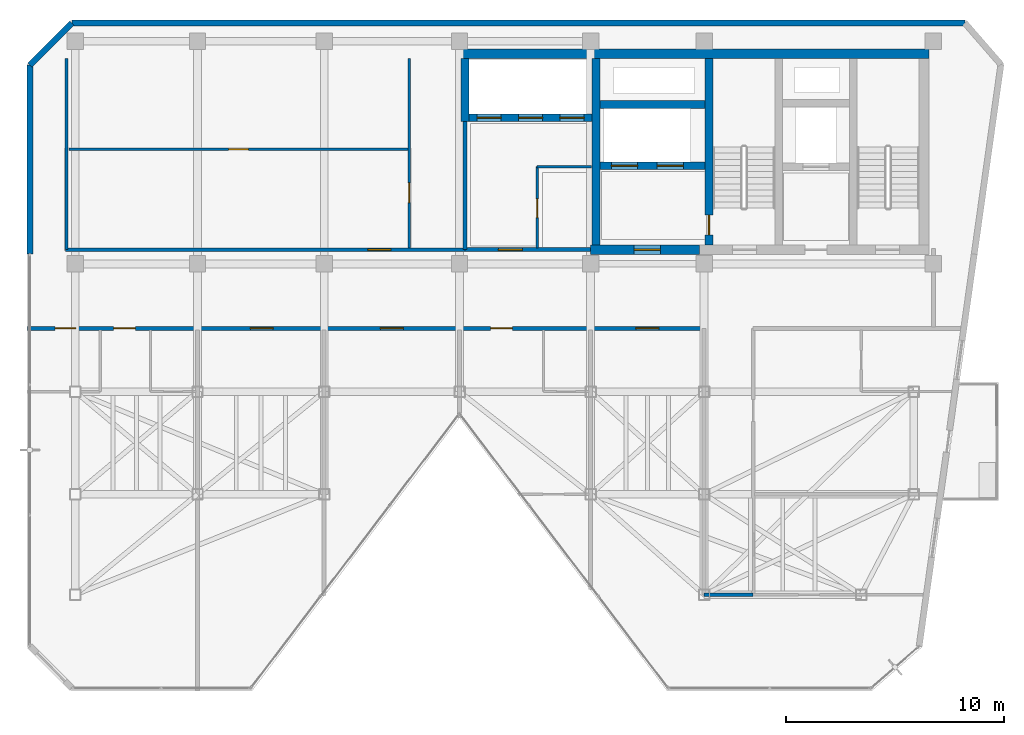
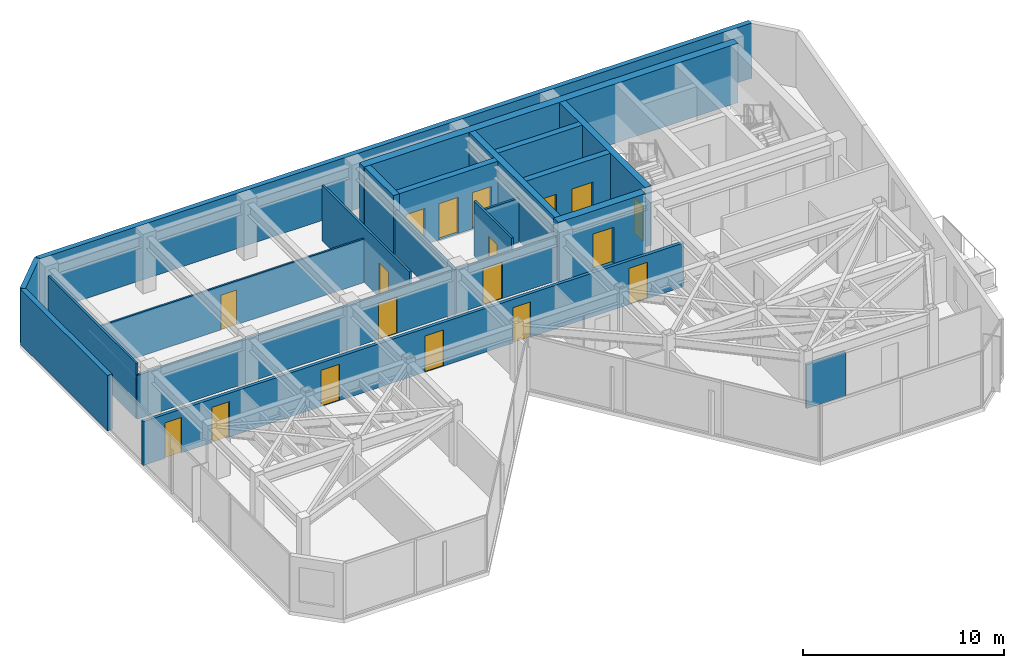
# One storey, part 16 of 19: 21 walls, 18 doors, 18 openings.
"""IFC4 building model written with IfcOpenShell, lengths in metres."""

from ifc_helpers import new_model, si_unit, direction, frame, frame_2d, origin, place, context, subcontext, project, spatial, rectangle, extrude, material, layer, layer_set, type_object, element, fill, save


model = new_model("IFC4")

# Units and contexts
model_context = context("Model", 3, precision=1e-05, world=origin(), true_north=direction((0.0, 1.0)))
body_context = subcontext(model_context, "Body", "Model", "MODEL_VIEW")
ifc_project = project(units=[si_unit("LENGTHUNIT", "METRE"), si_unit("AREAUNIT", "SQUARE_METRE"), si_unit("VOLUMEUNIT", "CUBIC_METRE"), si_unit("PLANEANGLEUNIT", "RADIAN"), si_unit("MASSUNIT", "GRAM", prefix="KILO")], contexts=[model_context])

# Site, building, storey
site_placement = place(None, origin())
site = spatial("IfcSite", under=ifc_project, at=site_placement, CompositionType="ELEMENT")
building_placement = place(site_placement, origin())
building = spatial("IfcBuilding", under=site, at=building_placement, Name="Kravanh Interchange Tower", CompositionType="ELEMENT")
storey_placement = place(building_placement, frame((0.0, 0.0, 259.800048828125)))
storey = spatial("IfcBuildingStorey", under=building, at=storey_placement, Name="L63", CompositionType="ELEMENT", Elevation=259.800048828125)

# Wall, opening, door
ifc_material_1 = material(Name="Double Acoustic Gypsum Board and Mineral Wool")
ifc_layer_1 = layer(ifc_material_1, 0.1201171875)
ifc_layer_set_1 = layer_set([ifc_layer_1], Name="Acoustic Office Drywall Partition 120mm")
wall_type_1 = type_object("IfcWallType", Name="Acoustic Office Drywall Partition 120mm", PredefinedType="PARTITIONING", material=ifc_layer_set_1)
wall_1_placement = place(storey_placement, frame((48.35009765625, 38.068115234375, 0.0), z_axis=(0.0, 0.0, 1.0), x_axis=(0.0, 1.0, 0.0)))
wall_1 = element("IfcWall", 1, at=wall_1_placement, inside=storey, type_object=wall_type_1, Name="L63 Interior Partition 2", PredefinedType="PARTITIONING", context=body_context, shape_type="SweptSolid", body=[
    extrude(rectangle(XDim=3.73193359375, YDim=0.1201171875, at=frame_2d((1.865966796875, 0.0))), origin(), (0.0, 0.0, 1.0), 3.349853515625),
])
opening_1_placement = place(wall_1_placement, frame((1.406982421875, 0.0, 0.0)))
opening_1 = element("IfcOpeningElement", 2, at=opening_1_placement, cuts=wall_1, Name="Opening D-85", PredefinedType="OPENING", context=body_context, shape_type="SweptSolid", body=[
    extrude(rectangle(XDim=0.85009765625, YDim=2.10009765625, at=frame_2d((0.425048828125, 1.050048828125))), frame((0.0, 0.070068359375, 0.0), z_axis=(0.0, -1.0, 0.0), x_axis=(1.0, 0.0, 0.0)), (0.0, 0.0, 1.0), 0.14013671875),
])
ifc_material_2 = material(Name="Engineered Teak Veneer Timber", Category="wood")
door_type_1 = type_object("IfcDoorType", Name="En-Suite Timber Door 850x2100", OperationType="NOTDEFINED", PredefinedType="DOOR", material=ifc_material_2)
door_1_placement = place(opening_1_placement, origin())
door_1 = element("IfcDoor", 3, at=door_1_placement, inside=storey, type_object=door_type_1, Name="L63 Core Electrical Closet Door", OperationType="SINGLE_SWING_RIGHT", OverallHeight=2.10009765625, OverallWidth=0.85009765625, PredefinedType="DOOR", context=body_context, shape_type="SweptSolid", body=[
    extrude(rectangle(XDim=0.85009765625, YDim=2.10009765625, at=frame_2d((0.425048828125, 1.050048828125))), frame((0.0, 0.02490234375, 0.0), z_axis=(0.0, -1.0, 0.0), x_axis=(1.0, 0.0, 0.0)), (0.0, 0.0, 1.0), 0.050048828125),
])
fill(opening_1, door_1)

# Walls
wall_2_placement = place(storey_placement, frame((48.35009765625, 41.800048828125, 0.0), z_axis=(0.0, 0.0, 1.0), x_axis=(1.0, 0.0, 0.0)))
element("IfcWall", 4, at=wall_2_placement, inside=storey, type_object=wall_type_1, Name="L63 Interior Partition 3", PredefinedType="PARTITIONING", context=body_context, shape_type="SweptSolid", body=[
    extrude(rectangle(XDim=2.5, YDim=0.1201171875, at=frame_2d((1.25, 0.0))), origin(), (0.0, 0.0, 1.0), 2.654052734375),
])
wall_3_placement = place(storey_placement, frame((26.800048828125, 38.0, 0.0), z_axis=(0.0, 0.0, 1.0), x_axis=(0.0, 1.0, 0.0)))
element("IfcWall", 5, at=wall_3_placement, inside=storey, type_object=wall_type_1, Name="L63 Interior Partition 6", PredefinedType="PARTITIONING", context=body_context, shape_type="SweptSolid", body=[
    extrude(rectangle(XDim=8.75, YDim=0.1201171875, at=frame_2d((4.375, 0.0))), origin(), (0.0, 0.0, 1.0), 3.349853515625),
])

# Wall, opening, door
wall_4_placement = place(storey_placement, frame((42.5, 38.068115234375, 0.0), z_axis=(0.0, 0.0, 1.0), x_axis=(0.0, 1.0, 0.0)))
wall_4 = element("IfcWall", 6, at=wall_4_placement, inside=storey, type_object=wall_type_1, Name="L63 Interior Partition 7", PredefinedType="PARTITIONING", context=body_context, shape_type="SweptSolid", body=[
    extrude(rectangle(XDim=8.681884765625, YDim=0.1201171875, at=frame_2d((4.3408203125, 0.0))), origin(), (0.0, 0.0, 1.0), 3.349853515625),
])
opening_2_placement = place(wall_4_placement, frame((2.09130859375, 0.0, 0.0)))
opening_2 = element("IfcOpeningElement", 7, at=opening_2_placement, cuts=wall_4, Name="Opening D-90", PredefinedType="OPENING", context=body_context, shape_type="SweptSolid", body=[
    extrude(rectangle(XDim=0.89990234375, YDim=2.10009765625, at=frame_2d((0.449951171875, 1.050048828125))), frame((0.0, 0.070068359375, 0.0), z_axis=(0.0, -1.0, 0.0), x_axis=(1.0, 0.0, 0.0)), (0.0, 0.0, 1.0), 0.14013671875),
])
ifc_material_3 = material(Name="Painted Solid-Core Timber", Category="wood")
door_type_2 = type_object("IfcDoorType", Name="Service Room Door 900x2100", OperationType="NOTDEFINED", PredefinedType="DOOR", material=ifc_material_3)
door_2_placement = place(opening_2_placement, origin())
door_2 = element("IfcDoor", 8, at=door_2_placement, inside=storey, type_object=door_type_2, Name="L63 Housekeeping Inner Door", OperationType="SINGLE_SWING_LEFT", OverallHeight=2.10009765625, OverallWidth=0.89990234375, PredefinedType="DOOR", context=body_context, shape_type="SweptSolid", body=[
    extrude(rectangle(XDim=0.89990234375, YDim=2.10009765625, at=frame_2d((0.449951171875, 1.050048828125))), frame((0.0, 0.02490234375, 0.0), z_axis=(0.0, -1.0, 0.0), x_axis=(1.0, 0.0, 0.0)), (0.0, 0.0, 1.0), 0.050048828125),
])
fill(opening_2, door_2)

ifc_material_4 = material(Name="Concrete C60/75", Category="concrete")
ifc_layer_2 = layer(ifc_material_4, 0.35009765625)
ifc_layer_set_2 = layer_set([ifc_layer_2], Name="Core Shear Wall Concrete C60/75 350mm")
wall_type_2 = type_object("IfcWallType", Name="Core Shear Wall Concrete C60/75 350mm", PredefinedType="SHEAR", material=ifc_layer_set_2)
wall_5_placement = place(storey_placement, frame((56.22509765625, 38.22509765625, 0.0), z_axis=(0.0, 0.0, 1.0), x_axis=(0.0, 1.0, 0.0)))
wall_5 = element("IfcWall", 9, at=wall_5_placement, inside=storey, type_object=wall_type_2, Name="L63 Stair ST2 West Shear Wall", PredefinedType="SHEAR", context=body_context, shape_type="SweptSolid", body=[
    extrude(rectangle(XDim=8.52490234375, YDim=0.35009765625, at=frame_2d((4.262451171875, 0.0))), origin(), (0.0, 0.0, 1.0), 3.599853515625),
])
opening_3_placement = place(wall_5_placement, frame((0.455078125, 0.0, 0.0)))
opening_3 = element("IfcOpeningElement", 10, at=opening_3_placement, cuts=wall_5, Name="Opening D-STAIR-90", PredefinedType="OPENING", context=body_context, shape_type="SweptSolid", body=[
    extrude(rectangle(XDim=0.89990234375, YDim=2.14990234375, at=frame_2d((0.449951171875, 1.074951171875))), frame((0.0, 0.18505859375, 0.0), z_axis=(0.0, -1.0, 0.0), x_axis=(1.0, 0.0, 0.0)), (0.0, 0.0, 1.0), 0.3701171875),
])
ifc_material_5 = material(Name="Structural Steel S355", Category="steel")
door_type_3 = type_object("IfcDoorType", Name="Fire-Rated Stair Lobby Door 900x2150", OperationType="NOTDEFINED", PredefinedType="DOOR", material=ifc_material_5)
door_3_placement = place(opening_3_placement, origin())
door_3 = element("IfcDoor", 11, at=door_3_placement, inside=storey, type_object=door_type_3, Name="L63 Firefighting Lobby to Stair ST2 Door", OperationType="SINGLE_SWING_LEFT", OverallHeight=2.14990234375, OverallWidth=0.89990234375, PredefinedType="DOOR", context=body_context, shape_type="SweptSolid", body=[
    extrude(rectangle(XDim=0.89990234375, YDim=2.14990234375, at=frame_2d((0.449951171875, 1.074951171875))), frame((0.0, 0.02490234375, 0.0), z_axis=(0.0, -1.0, 0.0), x_axis=(1.0, 0.0, 0.0)), (0.0, 0.0, 1.0), 0.050048828125),
])
fill(opening_3, door_3)

# Wall, openings, doors
wall_6_placement = place(storey_placement, frame((51.22509765625, 41.85009765625, 0.0), z_axis=(0.0, 0.0, 1.0), x_axis=(1.0, 0.0, 0.0)))
wall_6 = element("IfcWall", 12, at=wall_6_placement, inside=storey, type_object=wall_type_2, Name="L63 Fire Lift Shaft South Wall", PredefinedType="SHEAR", context=body_context, shape_type="SweptSolid", body=[
    extrude(rectangle(XDim=4.824951171875, YDim=0.35009765625, at=frame_2d((2.41259765625, 0.0))), origin(), (0.0, 0.0, 1.0), 3.599853515625),
])
opening_4_placement = place(wall_6_placement, frame((0.52490234375, 0.0, 0.0)))
opening_4 = element("IfcOpeningElement", 13, at=opening_4_placement, cuts=wall_6, Name="Opening LD02", PredefinedType="OPENING", context=body_context, shape_type="SweptSolid", body=[
    extrude(rectangle(XDim=1.199951171875, YDim=2.199951171875, at=frame_2d((0.60009765625, 1.10009765625))), frame((0.0, 0.18505859375, 0.0), z_axis=(0.0, -1.0, 0.0), x_axis=(1.0, 0.0, 0.0)), (0.0, 0.0, 1.0), 0.3701171875),
])
opening_5_placement = place(wall_6_placement, frame((2.625, 0.0, 0.0)))
opening_5 = element("IfcOpeningElement", 14, at=opening_5_placement, cuts=wall_6, Name="Opening LD02", PredefinedType="OPENING", context=body_context, shape_type="SweptSolid", body=[
    extrude(rectangle(XDim=1.199951171875, YDim=2.199951171875, at=frame_2d((0.60009765625, 1.10009765625))), frame((0.0, 0.18505859375, 0.0), z_axis=(0.0, -1.0, 0.0), x_axis=(1.0, 0.0, 0.0)), (0.0, 0.0, 1.0), 0.3701171875),
])
ifc_material_6 = material(Name="Stainless Steel 316", Category="steel")
door_type_4 = type_object("IfcDoorType", Name="Fire and Service Lift Sliding Landing Door 1200x2200", OperationType="DOUBLE_DOOR_SLIDING", PredefinedType="DOOR", material=ifc_material_6)
door_4_placement = place(opening_4_placement, origin())
door_4 = element("IfcDoor", 15, at=door_4_placement, inside=storey, type_object=door_type_4, Name="L63 Lift FSAE-01 Landing Door", OperationType="DOUBLE_DOOR_SLIDING", OverallHeight=2.199951171875, OverallWidth=1.199951171875, PredefinedType="DOOR", context=body_context, shape_type="SweptSolid", body=[
    extrude(rectangle(XDim=1.199951171875, YDim=2.199951171875, at=frame_2d((0.60009765625, 1.10009765625))), frame((0.0, 0.02490234375, 0.0), z_axis=(0.0, -1.0, 0.0), x_axis=(1.0, 0.0, 0.0)), (0.0, 0.0, 1.0), 0.050048828125),
])
fill(opening_4, door_4)
door_5_placement = place(opening_5_placement, origin())
door_5 = element("IfcDoor", 16, at=door_5_placement, inside=storey, type_object=door_type_4, Name="L63 Lift FSAE-02 Landing Door", OperationType="DOUBLE_DOOR_SLIDING", OverallHeight=2.199951171875, OverallWidth=1.199951171875, PredefinedType="DOOR", context=body_context, shape_type="SweptSolid", body=[
    extrude(rectangle(XDim=1.199951171875, YDim=2.199951171875, at=frame_2d((0.60009765625, 1.10009765625))), frame((0.0, 0.02490234375, 0.0), z_axis=(0.0, -1.0, 0.0), x_axis=(1.0, 0.0, 0.0)), (0.0, 0.0, 1.0), 0.050048828125),
])
fill(opening_5, door_5)

# Walls
wall_7_placement = place(storey_placement, frame((51.22509765625, 44.64990234375, 0.0), z_axis=(0.0, 0.0, 1.0), x_axis=(1.0, 0.0, 0.0)))
element("IfcWall", 17, at=wall_7_placement, inside=storey, type_object=wall_type_2, Name="L63 Fire Lift Shaft North Wall", PredefinedType="SHEAR", context=body_context, shape_type="SweptSolid", body=[
    extrude(rectangle(XDim=4.824951171875, YDim=0.35009765625, at=frame_2d((2.41259765625, 0.0))), origin(), (0.0, 0.0, 1.0), 3.599853515625),
])
wall_8_placement = place(storey_placement, frame((51.050048828125, 38.22509765625, 0.0), z_axis=(0.0, 0.0, 1.0), x_axis=(0.0, 1.0, 0.0)))
element("IfcWall", 18, at=wall_8_placement, inside=storey, type_object=wall_type_2, Name="L63 Firefighting Lobby West Wall", PredefinedType="SHEAR", context=body_context, shape_type="SweptSolid", body=[
    extrude(rectangle(XDim=8.52490234375, YDim=0.35009765625, at=frame_2d((4.262451171875, 0.0))), origin(), (0.0, 0.0, 1.0), 3.599853515625),
])

# Wall, openings, doors
wall_9_placement = place(storey_placement, frame((45.22509765625, 44.050048828125, 0.0), z_axis=(0.0, 0.0, 1.0), x_axis=(1.0, 0.0, 0.0)))
wall_9 = element("IfcWall", 19, at=wall_9_placement, inside=storey, type_object=wall_type_2, Name="L63 High-Rise Lift Shaft South Wall", PredefinedType="SHEAR", context=body_context, shape_type="SweptSolid", body=[
    extrude(rectangle(XDim=5.64990234375, YDim=0.35009765625, at=frame_2d((2.824951171875, 0.0))), origin(), (0.0, 0.0, 1.0), 3.599853515625),
])
opening_6_placement = place(wall_9_placement, frame((0.375, 0.0, 0.0)))
opening_6 = element("IfcOpeningElement", 20, at=opening_6_placement, cuts=wall_9, Name="Opening LD01", PredefinedType="OPENING", context=body_context, shape_type="SweptSolid", body=[
    extrude(rectangle(XDim=1.10009765625, YDim=2.199951171875, at=frame_2d((0.550048828125, 1.10009765625))), frame((0.0, 0.18505859375, 0.0), z_axis=(0.0, -1.0, 0.0), x_axis=(1.0, 0.0, 0.0)), (0.0, 0.0, 1.0), 0.3701171875),
])
opening_7_placement = place(wall_9_placement, frame((2.27490234375, 0.0, 0.0)))
opening_7 = element("IfcOpeningElement", 21, at=opening_7_placement, cuts=wall_9, Name="Opening LD01", PredefinedType="OPENING", context=body_context, shape_type="SweptSolid", body=[
    extrude(rectangle(XDim=1.10009765625, YDim=2.199951171875, at=frame_2d((0.550048828125, 1.10009765625))), frame((0.0, 0.18505859375, 0.0), z_axis=(0.0, -1.0, 0.0), x_axis=(1.0, 0.0, 0.0)), (0.0, 0.0, 1.0), 0.3701171875),
])
opening_8_placement = place(wall_9_placement, frame((4.175048828125, 0.0, 0.0)))
opening_8 = element("IfcOpeningElement", 22, at=opening_8_placement, cuts=wall_9, Name="Opening LD01", PredefinedType="OPENING", context=body_context, shape_type="SweptSolid", body=[
    extrude(rectangle(XDim=1.10009765625, YDim=2.199951171875, at=frame_2d((0.550048828125, 1.10009765625))), frame((0.0, 0.18505859375, 0.0), z_axis=(0.0, -1.0, 0.0), x_axis=(1.0, 0.0, 0.0)), (0.0, 0.0, 1.0), 0.3701171875),
])
ifc_material_7 = material(Name="Stainless Steel 304", Category="steel")
door_type_5 = type_object("IfcDoorType", Name="Passenger Lift Sliding Landing Door 1100x2200", OperationType="DOUBLE_DOOR_SLIDING", PredefinedType="DOOR", material=ifc_material_7)
door_6_placement = place(opening_6_placement, origin())
door_6 = element("IfcDoor", 23, at=door_6_placement, inside=storey, type_object=door_type_5, Name="L63 Lift LP-H1 Landing Door", OperationType="DOUBLE_DOOR_SLIDING", OverallHeight=2.199951171875, OverallWidth=1.10009765625, PredefinedType="DOOR", context=body_context, shape_type="SweptSolid", body=[
    extrude(rectangle(XDim=1.10009765625, YDim=2.199951171875, at=frame_2d((0.550048828125, 1.10009765625))), frame((0.0, 0.02490234375, 0.0), z_axis=(0.0, -1.0, 0.0), x_axis=(1.0, 0.0, 0.0)), (0.0, 0.0, 1.0), 0.050048828125),
])
fill(opening_6, door_6)
door_7_placement = place(opening_7_placement, origin())
door_7 = element("IfcDoor", 24, at=door_7_placement, inside=storey, type_object=door_type_5, Name="L63 Lift LP-H2 Landing Door", OperationType="DOUBLE_DOOR_SLIDING", OverallHeight=2.199951171875, OverallWidth=1.10009765625, PredefinedType="DOOR", context=body_context, shape_type="SweptSolid", body=[
    extrude(rectangle(XDim=1.10009765625, YDim=2.199951171875, at=frame_2d((0.550048828125, 1.10009765625))), frame((0.0, 0.02490234375, 0.0), z_axis=(0.0, -1.0, 0.0), x_axis=(1.0, 0.0, 0.0)), (0.0, 0.0, 1.0), 0.050048828125),
])
fill(opening_7, door_7)
door_8_placement = place(opening_8_placement, origin())
door_8 = element("IfcDoor", 25, at=door_8_placement, inside=storey, type_object=door_type_5, Name="L63 Lift LP-H3 Landing Door", OperationType="DOUBLE_DOOR_SLIDING", OverallHeight=2.199951171875, OverallWidth=1.10009765625, PredefinedType="DOOR", context=body_context, shape_type="SweptSolid", body=[
    extrude(rectangle(XDim=1.10009765625, YDim=2.199951171875, at=frame_2d((0.550048828125, 1.10009765625))), frame((0.0, 0.02490234375, 0.0), z_axis=(0.0, -1.0, 0.0), x_axis=(1.0, 0.0, 0.0)), (0.0, 0.0, 1.0), 0.050048828125),
])
fill(opening_8, door_8)

# Walls
wall_10_placement = place(storey_placement, frame((45.050048828125, 43.875, 0.0), z_axis=(0.0, 0.0, 1.0), x_axis=(0.0, 1.0, 0.0)))
element("IfcWall", 26, at=wall_10_placement, inside=storey, type_object=wall_type_2, Name="L63 High-Rise Lift Shaft West Wall", PredefinedType="SHEAR", context=body_context, shape_type="SweptSolid", body=[
    extrude(rectangle(XDim=2.875, YDim=0.35009765625, at=frame_2d((1.4375, 0.0))), origin(), (0.0, 0.0, 1.0), 3.599853515625),
])
ifc_material_8 = material(Name="Concrete C60/75", Category="concrete")
ifc_layer_3 = layer(ifc_material_8, 0.449951171875)
ifc_layer_set_3 = layer_set([ifc_layer_3], Name="Core Shear Wall Concrete C60/75 450mm")
wall_type_3 = type_object("IfcWallType", Name="Core Shear Wall Concrete C60/75 450mm", PredefinedType="SHEAR", material=ifc_layer_set_3)
wall_11_placement = place(storey_placement, frame((44.85009765625, 46.97509765625, 0.0), z_axis=(0.0, 0.0, 1.0), x_axis=(1.0, 0.0, 0.0)))
element("IfcWall", 27, at=wall_11_placement, inside=storey, type_object=wall_type_3, Name="L63 North Core Shear Wall", PredefinedType="SHEAR", context=body_context, shape_type="SweptSolid", body=[
    extrude(rectangle(XDim=21.449951171875, YDim=0.449951171875, at=frame_2d((10.72509765625, 0.0))), origin(), (0.0, 0.0, 1.0), 3.599853515625),
])

# Wall, opening, door
wall_12_placement = place(storey_placement, frame((50.800048828125, 38.0, 0.0), z_axis=(0.0, 0.0, 1.0), x_axis=(1.0, 0.0, 0.0)))
wall_12 = element("IfcWall", 28, at=wall_12_placement, inside=storey, type_object=wall_type_3, Name="L63 Firefighting Lobby South Shear Wall", PredefinedType="SHEAR", context=body_context, shape_type="SweptSolid", body=[
    extrude(rectangle(XDim=5.0, YDim=0.449951171875, at=frame_2d((2.5, 0.0))), origin(), (0.0, 0.0, 1.0), 3.599853515625),
])
opening_9_placement = place(wall_12_placement, frame((2.0, 0.0, 0.0)))
opening_9 = element("IfcOpeningElement", 29, at=opening_9_placement, cuts=wall_12, Name="Opening D-FSAE-120", PredefinedType="OPENING", context=body_context, shape_type="SweptSolid", body=[
    extrude(rectangle(XDim=1.199951171875, YDim=2.199951171875, at=frame_2d((0.60009765625, 1.10009765625))), frame((0.0, 0.23486328125, 0.0), z_axis=(0.0, -1.0, 0.0), x_axis=(1.0, 0.0, 0.0)), (0.0, 0.0, 1.0), 0.469970703125),
])
ifc_material_9 = material(Name="Structural Steel S355", Category="steel")
door_type_6 = type_object("IfcDoorType", Name="Fire-Rated Refuge and FSAE Door 1200x2200", OperationType="NOTDEFINED", PredefinedType="DOOR", material=ifc_material_9)
door_9_placement = place(opening_9_placement, origin())
door_9 = element("IfcDoor", 30, at=door_9_placement, inside=storey, type_object=door_type_6, Name="L63 Firefighting Lobby Corridor Door", OperationType="SINGLE_SWING_RIGHT", OverallHeight=2.199951171875, OverallWidth=1.199951171875, PredefinedType="DOOR", context=body_context, shape_type="SweptSolid", body=[
    extrude(rectangle(XDim=1.199951171875, YDim=2.199951171875, at=frame_2d((0.60009765625, 1.10009765625))), frame((0.0, 0.02490234375, 0.0), z_axis=(0.0, -1.0, 0.0), x_axis=(1.0, 0.0, 0.0)), (0.0, 0.0, 1.0), 0.050048828125),
])
fill(opening_9, door_9)

ifc_material_10 = material(Name="Moisture-Resistant Gypsum Board and Mineral Wool")
ifc_layer_4 = layer(ifc_material_10, 0.10009765625)
ifc_layer_set_4 = layer_set([ifc_layer_4], Name="En-Suite Moisture-Resistant Partition 100mm")
wall_type_4 = type_object("IfcWallType", Name="En-Suite Moisture-Resistant Partition 100mm", PredefinedType="PARTITIONING", material=ifc_layer_set_4)
wall_13_placement = place(storey_placement, frame((26.91796875, 42.60009765625, 0.0), z_axis=(0.0, 0.0, 1.0), x_axis=(1.0, 0.0, 0.0)))
wall_13 = element("IfcWall", 31, at=wall_13_placement, inside=storey, type_object=wall_type_4, Name="L63 Interior Partition 8", PredefinedType="PARTITIONING", context=body_context, shape_type="SweptSolid", body=[
    extrude(rectangle(XDim=15.513916015625, YDim=0.10009765625, at=frame_2d((7.7568359375, 0.0))), origin(), (0.0, 0.0, 1.0), 2.654052734375),
])
opening_10_placement = place(wall_13_placement, frame((7.306884765625, 0.0, 0.0)))
opening_10 = element("IfcOpeningElement", 32, at=opening_10_placement, cuts=wall_13, Name="Opening D-90", PredefinedType="OPENING", context=body_context, shape_type="SweptSolid", body=[
    extrude(rectangle(XDim=0.89990234375, YDim=2.10009765625, at=frame_2d((0.449951171875, 1.050048828125))), frame((0.0, 0.06005859375, 0.0), z_axis=(0.0, -1.0, 0.0), x_axis=(1.0, 0.0, 0.0)), (0.0, 0.0, 1.0), 0.1201171875),
])
door_10_placement = place(opening_10_placement, origin())
door_10 = element("IfcDoor", 33, at=door_10_placement, inside=storey, type_object=door_type_2, Name="L63 Quiet Reading Alcove Inner Door", OperationType="SINGLE_SWING_RIGHT", OverallHeight=2.10009765625, OverallWidth=0.89990234375, PredefinedType="DOOR", context=body_context, shape_type="SweptSolid", body=[
    extrude(rectangle(XDim=0.89990234375, YDim=2.10009765625, at=frame_2d((0.449951171875, 1.050048828125))), frame((0.0, 0.02490234375, 0.0), z_axis=(0.0, -1.0, 0.0), x_axis=(1.0, 0.0, 0.0)), (0.0, 0.0, 1.0), 0.050048828125),
])
fill(opening_10, door_10)

# Walls
ifc_material_11 = material(Name="Insulated Precast Concrete C40/50 with Bronze Cladding", Category="concrete")
ifc_layer_5 = layer(ifc_material_11, 0.280029296875)
ifc_layer_set_5 = layer_set([ifc_layer_5], Name="Exterior Insulated Concrete C40/50 Bronze Spandrel Wall 280mm")
wall_type_5 = type_object("IfcWallType", Name="Exterior Insulated Concrete C40/50 Bronze Spandrel Wall 280mm", PredefinedType="STANDARD", material=ifc_layer_set_5)
wall_14_placement = place(storey_placement, frame((25.1201171875, 37.800048828125, 0.0), z_axis=(0.0, 0.0, 1.0), x_axis=(0.0, 1.0, 0.0)))
element("IfcWall", 34, at=wall_14_placement, inside=storey, type_object=wall_type_5, Name="L63 Exterior Wall 1", PredefinedType="STANDARD", context=body_context, shape_type="SweptSolid", body=[
    extrude(rectangle(XDim=8.650146484375, YDim=0.280029296875, at=frame_2d((4.3251953125, 0.0))), origin(), (0.0, 0.0, 1.0), 3.349853515625),
])
wall_15_placement = place(storey_placement, frame((25.1201171875, 46.4501953125, 0.0), z_axis=(0.0, 0.0, 1.0), x_axis=(0.707106781187, 0.707106781187, 0.0)))
element("IfcWall", 35, at=wall_15_placement, inside=storey, type_object=wall_type_5, Name="L63 Exterior Wall 2", PredefinedType="STANDARD", context=body_context, shape_type="SweptSolid", body=[
    extrude(rectangle(XDim=2.72900390625, YDim=0.280029296875, at=frame_2d((1.364501953125, 0.0))), origin(), (0.0, 0.0, 1.0), 3.349853515625),
])
wall_16_placement = place(storey_placement, frame((27.0498046875, 48.3798828125, 0.0), z_axis=(0.0, 0.0, 1.0), x_axis=(1.0, 0.0, 0.0)))
element("IfcWall", 36, at=wall_16_placement, inside=storey, type_object=wall_type_5, Name="L63 Exterior Wall 3", PredefinedType="STANDARD", context=body_context, shape_type="SweptSolid", body=[
    extrude(rectangle(XDim=40.8955078125, YDim=0.280029296875, at=frame_2d((20.44775390625, 0.0))), origin(), (0.0, 0.0, 1.0), 3.349853515625),
])

# Wall, opening, door
ifc_material_12 = material(Name="Autoclaved Aerated Concrete C30/37 Blockwork", Category="masonry")
ifc_layer_6 = layer(ifc_material_12, 0.179931640625)
ifc_layer_set_6 = layer_set([ifc_layer_6], Name="Fire-Rated Lobby and Corridor Wall Concrete C30/37 180mm")
wall_type_6 = type_object("IfcWallType", Name="Fire-Rated Lobby and Corridor Wall Concrete C30/37 180mm", PredefinedType="STANDARD", material=ifc_layer_set_6)
wall_17_placement = place(storey_placement, frame((45.050048828125, 38.0, 0.0), z_axis=(0.0, 0.0, 1.0), x_axis=(1.0, 0.0, 0.0)))
wall_17 = element("IfcWall", 37, at=wall_17_placement, inside=storey, type_object=wall_type_6, Name="L63 High-Rise Lift Lobby Wall 1", PredefinedType="STANDARD", context=body_context, shape_type="SweptSolid", body=[
    extrude(rectangle(XDim=5.75, YDim=0.179931640625, at=frame_2d((2.875, 0.0))), origin(), (0.0, 0.0, 1.0), 2.654052734375),
])
opening_11_placement = place(wall_17_placement, frame((1.52490234375, 0.0, 0.0)))
opening_11 = element("IfcOpeningElement", 38, at=opening_11_placement, cuts=wall_17, Name="Opening D-SHAFT-110", PredefinedType="OPENING", context=body_context, shape_type="SweptSolid", body=[
    extrude(rectangle(XDim=1.10009765625, YDim=2.199951171875, at=frame_2d((0.550048828125, 1.10009765625))), frame((0.0, 0.10009765625, 0.0), z_axis=(0.0, -1.0, 0.0), x_axis=(1.0, 0.0, 0.0)), (0.0, 0.0, 1.0), 0.199951171875),
])
ifc_material_13 = material(Name="Fire-Rated Composite Timber Leaf", Category="wood")
door_type_7 = type_object("IfcDoorType", Name="Fire-Rated Core Support Door 1100x2200", OperationType="NOTDEFINED", PredefinedType="DOOR", material=ifc_material_13)
door_11_placement = place(opening_11_placement, origin())
door_11 = element("IfcDoor", 39, at=door_11_placement, inside=storey, type_object=door_type_7, Name="L63 High-Rise Lift Lobby Door", OperationType="SINGLE_SWING_LEFT", OverallHeight=2.199951171875, OverallWidth=1.10009765625, PredefinedType="DOOR", context=body_context, shape_type="SweptSolid", body=[
    extrude(rectangle(XDim=1.10009765625, YDim=2.199951171875, at=frame_2d((0.550048828125, 1.10009765625))), frame((0.0, 0.02490234375, 0.0), z_axis=(0.0, -1.0, 0.0), x_axis=(1.0, 0.0, 0.0)), (0.0, 0.0, 1.0), 0.050048828125),
])
fill(opening_11, door_11)

# Wall
wall_18_placement = place(storey_placement, frame((45.050048828125, 38.0, 0.0), z_axis=(0.0, 0.0, 1.0), x_axis=(0.0, 1.0, 0.0)))
element("IfcWall", 40, at=wall_18_placement, inside=storey, type_object=wall_type_6, Name="L63 Interior Partition 4", PredefinedType="STANDARD", context=body_context, shape_type="SweptSolid", body=[
    extrude(rectangle(XDim=5.875, YDim=0.179931640625, at=frame_2d((2.9375, 0.0))), origin(), (0.0, 0.0, 1.0), 2.654052734375),
])

# Wall, openings, doors
wall_19_placement = place(storey_placement, frame((25.014892578125, 34.39990234375, 0.0), z_axis=(0.0, 0.0, 1.0), x_axis=(1.0, 0.0, 0.0)))
wall_19 = element("IfcWall", 41, at=wall_19_placement, inside=storey, type_object=wall_type_6, Name="L63 Interior Partition 9", PredefinedType="STANDARD", context=body_context, shape_type="SweptSolid", body=[
    extrude(rectangle(XDim=30.985107421875, YDim=0.179931640625, at=frame_2d((15.49267578125, 0.0))), origin(), (0.0, 0.0, 1.0), 2.654052734375),
])
opening_12_placement = place(wall_19_placement, frame((1.25927734375, 0.0, 0.0)))
opening_12 = element("IfcOpeningElement", 42, at=opening_12_placement, cuts=wall_19, Name="Opening D-95", PredefinedType="OPENING", context=body_context, shape_type="SweptSolid", body=[
    extrude(rectangle(XDim=0.949951171875, YDim=2.14990234375, at=frame_2d((0.47509765625, 1.074951171875))), frame((0.0, 0.10009765625, 0.0), z_axis=(0.0, -1.0, 0.0), x_axis=(1.0, 0.0, 0.0)), (0.0, 0.0, 1.0), 0.199951171875),
])
opening_13_placement = place(wall_19_placement, frame((3.938720703125, 0.0, 0.0)))
opening_13 = element("IfcOpeningElement", 43, at=opening_13_placement, cuts=wall_19, Name="Opening D-HOTEL-100", PredefinedType="OPENING", context=body_context, shape_type="SweptSolid", body=[
    extrude(rectangle(XDim=1.0, YDim=2.14990234375, at=frame_2d((0.5, 1.074951171875))), frame((0.0, 0.10009765625, 0.0), z_axis=(0.0, -1.0, 0.0), x_axis=(1.0, 0.0, 0.0)), (0.0, 0.0, 1.0), 0.199951171875),
])
opening_14_placement = place(wall_19_placement, frame((10.20068359375, 0.0, 0.0)))
opening_14 = element("IfcOpeningElement", 44, at=opening_14_placement, cuts=wall_19, Name="Opening D-105", PredefinedType="OPENING", context=body_context, shape_type="SweptSolid", body=[
    extrude(rectangle(XDim=1.050048828125, YDim=2.199951171875, at=frame_2d((0.52490234375, 1.10009765625))), frame((0.0, 0.10009765625, 0.0), z_axis=(0.0, -1.0, 0.0), x_axis=(1.0, 0.0, 0.0)), (0.0, 0.0, 1.0), 0.199951171875),
])
opening_15_placement = place(wall_19_placement, frame((16.159912109375, 0.0, 0.0)))
opening_15 = element("IfcOpeningElement", 45, at=opening_15_placement, cuts=wall_19, Name="Opening D-105", PredefinedType="OPENING", context=body_context, shape_type="SweptSolid", body=[
    extrude(rectangle(XDim=1.050048828125, YDim=2.199951171875, at=frame_2d((0.52490234375, 1.10009765625))), frame((0.0, 0.10009765625, 0.0), z_axis=(0.0, -1.0, 0.0), x_axis=(1.0, 0.0, 0.0)), (0.0, 0.0, 1.0), 0.199951171875),
])
opening_16_placement = place(wall_19_placement, frame((21.2099609375, 0.0, 0.0)))
opening_16 = element("IfcOpeningElement", 46, at=opening_16_placement, cuts=wall_19, Name="Opening D-HOTEL-100", PredefinedType="OPENING", context=body_context, shape_type="SweptSolid", body=[
    extrude(rectangle(XDim=1.0, YDim=2.14990234375, at=frame_2d((0.5, 1.074951171875))), frame((0.0, 0.10009765625, 0.0), z_axis=(0.0, -1.0, 0.0), x_axis=(1.0, 0.0, 0.0)), (0.0, 0.0, 1.0), 0.199951171875),
])
opening_17_placement = place(wall_19_placement, frame((27.860107421875, 0.0, 0.0)))
opening_17 = element("IfcOpeningElement", 47, at=opening_17_placement, cuts=wall_19, Name="Opening D-105", PredefinedType="OPENING", context=body_context, shape_type="SweptSolid", body=[
    extrude(rectangle(XDim=1.050048828125, YDim=2.199951171875, at=frame_2d((0.52490234375, 1.10009765625))), frame((0.0, 0.10009765625, 0.0), z_axis=(0.0, -1.0, 0.0), x_axis=(1.0, 0.0, 0.0)), (0.0, 0.0, 1.0), 0.199951171875),
])
ifc_material_14 = material(Name="Laminate Solid-Core Timber", Category="wood")
door_type_8 = type_object("IfcDoorType", Name="Accessible Restroom Door 950x2150", OperationType="NOTDEFINED", PredefinedType="DOOR", material=ifc_material_14)
door_12_placement = place(opening_12_placement, origin())
door_12 = element("IfcDoor", 48, at=door_12_placement, inside=storey, type_object=door_type_8, Name="L63 Accessible WC Door", OperationType="SINGLE_SWING_RIGHT", OverallHeight=2.14990234375, OverallWidth=0.949951171875, PredefinedType="DOOR", context=body_context, shape_type="SweptSolid", body=[
    extrude(rectangle(XDim=0.949951171875, YDim=2.14990234375, at=frame_2d((0.47509765625, 1.074951171875))), frame((0.0, 0.02490234375, 0.0), z_axis=(0.0, -1.0, 0.0), x_axis=(1.0, 0.0, 0.0)), (0.0, 0.0, 1.0), 0.050048828125),
])
fill(opening_12, door_12)
ifc_material_15 = material(Name="Fire-Rated Solid Timber Leaf", Category="wood")
door_type_9 = type_object("IfcDoorType", Name="Fire-Rated Suite Entrance Door 1000x2150", OperationType="NOTDEFINED", PredefinedType="DOOR", material=ifc_material_15)
door_13_placement = place(opening_13_placement, origin())
door_13 = element("IfcDoor", 49, at=door_13_placement, inside=storey, type_object=door_type_9, Name="L63 Hotel Guest Room D1 Entrance Door", OperationType="SINGLE_SWING_LEFT", OverallHeight=2.14990234375, OverallWidth=1.0, PredefinedType="DOOR", context=body_context, shape_type="SweptSolid", body=[
    extrude(rectangle(XDim=1.0, YDim=2.14990234375, at=frame_2d((0.5, 1.074951171875))), frame((0.0, 0.02490234375, 0.0), z_axis=(0.0, -1.0, 0.0), x_axis=(1.0, 0.0, 0.0)), (0.0, 0.0, 1.0), 0.050048828125),
])
fill(opening_13, door_13)
door_14_placement = place(opening_16_placement, origin())
door_14 = element("IfcDoor", 50, at=door_14_placement, inside=storey, type_object=door_type_9, Name="L63 Hotel Guest Room D2 Entrance Door", OperationType="SINGLE_SWING_RIGHT", OverallHeight=2.14990234375, OverallWidth=1.0, PredefinedType="DOOR", context=body_context, shape_type="SweptSolid", body=[
    extrude(rectangle(XDim=1.0, YDim=2.14990234375, at=frame_2d((0.5, 1.074951171875))), frame((0.0, 0.02490234375, 0.0), z_axis=(0.0, -1.0, 0.0), x_axis=(1.0, 0.0, 0.0)), (0.0, 0.0, 1.0), 0.050048828125),
])
fill(opening_16, door_14)
ifc_material_16 = material(Name="Acoustic Glazed Oak and Aluminium", Category="aluminium")
door_type_10 = type_object("IfcDoorType", Name="Office Workplace Door 1050x2200", OperationType="NOTDEFINED", PredefinedType="DOOR", material=ifc_material_16)
door_15_placement = place(opening_14_placement, origin())
door_15 = element("IfcDoor", 51, at=door_15_placement, inside=storey, type_object=door_type_10, Name="L63 Yoga Wellness Lounge Door", OperationType="SINGLE_SWING_LEFT", OverallHeight=2.199951171875, OverallWidth=1.050048828125, PredefinedType="DOOR", context=body_context, shape_type="SweptSolid", body=[
    extrude(rectangle(XDim=1.050048828125, YDim=2.199951171875, at=frame_2d((0.52490234375, 1.10009765625))), frame((0.0, 0.02490234375, 0.0), z_axis=(0.0, -1.0, 0.0), x_axis=(1.0, 0.0, 0.0)), (0.0, 0.0, 1.0), 0.050048828125),
])
fill(opening_14, door_15)
door_16_placement = place(opening_15_placement, origin())
door_16 = element("IfcDoor", 52, at=door_16_placement, inside=storey, type_object=door_type_10, Name="L63 Quiet Library Study 1 Door", OperationType="SINGLE_SWING_RIGHT", OverallHeight=2.199951171875, OverallWidth=1.050048828125, PredefinedType="DOOR", context=body_context, shape_type="SweptSolid", body=[
    extrude(rectangle(XDim=1.050048828125, YDim=2.199951171875, at=frame_2d((0.52490234375, 1.10009765625))), frame((0.0, 0.02490234375, 0.0), z_axis=(0.0, -1.0, 0.0), x_axis=(1.0, 0.0, 0.0)), (0.0, 0.0, 1.0), 0.050048828125),
])
fill(opening_15, door_16)
door_17_placement = place(opening_17_placement, origin())
door_17 = element("IfcDoor", 53, at=door_17_placement, inside=storey, type_object=door_type_10, Name="L63 Executive Study 2 Door", OperationType="SINGLE_SWING_RIGHT", OverallHeight=2.199951171875, OverallWidth=1.050048828125, PredefinedType="DOOR", context=body_context, shape_type="SweptSolid", body=[
    extrude(rectangle(XDim=1.050048828125, YDim=2.199951171875, at=frame_2d((0.52490234375, 1.10009765625))), frame((0.0, 0.02490234375, 0.0), z_axis=(0.0, -1.0, 0.0), x_axis=(1.0, 0.0, 0.0)), (0.0, 0.0, 1.0), 0.050048828125),
])
fill(opening_17, door_17)

# Wall
wall_20_placement = place(storey_placement, frame((56.0, 22.199951171875, 0.0), z_axis=(0.0, 0.0, 1.0), x_axis=(1.0, 0.0, 0.0)))
element("IfcWall", 54, at=wall_20_placement, inside=storey, type_object=wall_type_6, Name="L63 Interior Partition 14", PredefinedType="STANDARD", context=body_context, shape_type="SweptSolid", body=[
    extrude(rectangle(XDim=2.25, YDim=0.179931640625, at=frame_2d((1.125, 0.0))), origin(), (0.0, 0.0, 1.0), 2.654052734375),
])

# Wall, opening, door
ifc_material_17 = material(Name="Twin Stud Acoustic Gypsum Board Wall")
ifc_layer_7 = layer(ifc_material_17, 0.14990234375)
ifc_layer_set_7 = layer_set([ifc_layer_7], Name="Medium-Duty Acoustic Partition 150mm")
wall_type_7 = type_object("IfcWallType", Name="Medium-Duty Acoustic Partition 150mm", PredefinedType="PARTITIONING", material=ifc_layer_set_7)
wall_21_placement = place(storey_placement, frame((26.75, 38.0, 0.0), z_axis=(0.0, 0.0, 1.0), x_axis=(1.0, 0.0, 0.0)))
wall_21 = element("IfcWall", 55, at=wall_21_placement, inside=storey, type_object=wall_type_7, Name="L63 Interior Partition 5", PredefinedType="PARTITIONING", context=body_context, shape_type="SweptSolid", body=[
    extrude(rectangle(XDim=18.300048828125, YDim=0.14990234375, at=frame_2d((9.14990234375, 0.0))), origin(), (0.0, 0.0, 1.0), 2.654052734375),
])
opening_18_placement = place(wall_21_placement, frame((13.85009765625, 0.0, 0.0)))
opening_18 = element("IfcOpeningElement", 56, at=opening_18_placement, cuts=wall_21, Name="Opening D-105", PredefinedType="OPENING", context=body_context, shape_type="SweptSolid", body=[
    extrude(rectangle(XDim=1.050048828125, YDim=2.199951171875, at=frame_2d((0.52490234375, 1.10009765625))), frame((0.0, 0.0849609375, 0.0), z_axis=(0.0, -1.0, 0.0), x_axis=(1.0, 0.0, 0.0)), (0.0, 0.0, 1.0), 0.169921875),
])
door_18_placement = place(opening_18_placement, origin())
door_18 = element("IfcDoor", 57, at=door_18_placement, inside=storey, type_object=door_type_10, Name="L63 Executive Business Study Door", OperationType="SINGLE_SWING_LEFT", OverallHeight=2.199951171875, OverallWidth=1.050048828125, PredefinedType="DOOR", context=body_context, shape_type="SweptSolid", body=[
    extrude(rectangle(XDim=1.050048828125, YDim=2.199951171875, at=frame_2d((0.52490234375, 1.10009765625))), frame((0.0, 0.02490234375, 0.0), z_axis=(0.0, -1.0, 0.0), x_axis=(1.0, 0.0, 0.0)), (0.0, 0.0, 1.0), 0.050048828125),
])
fill(opening_18, door_18)

save(model, "model.ifc")
